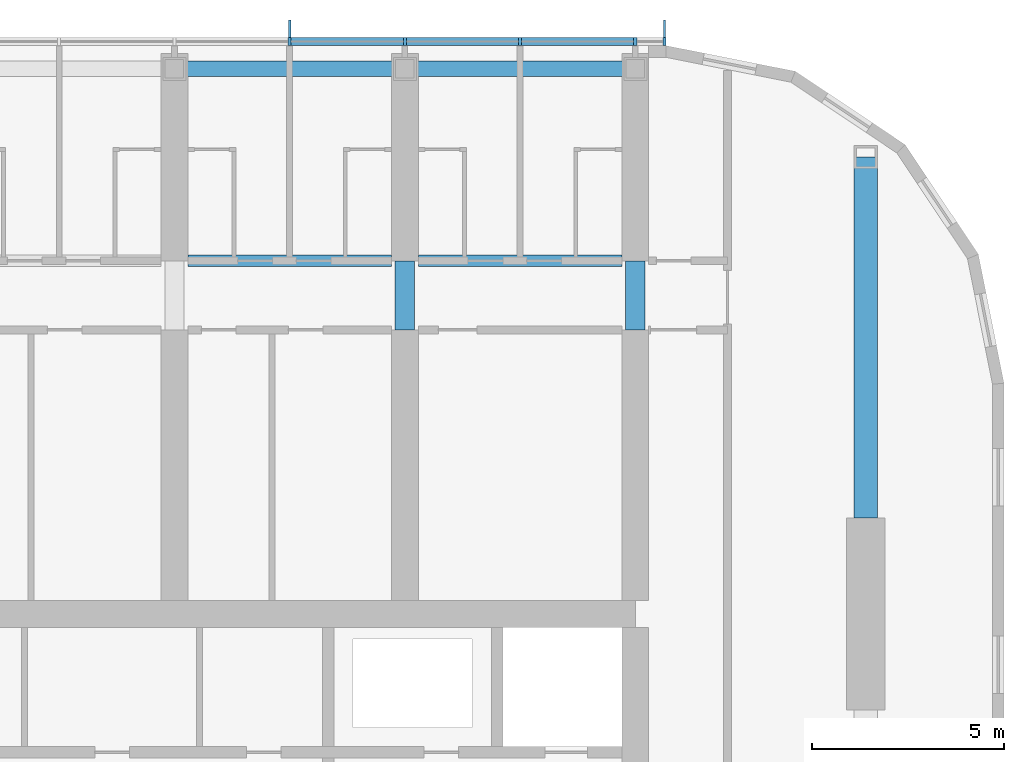
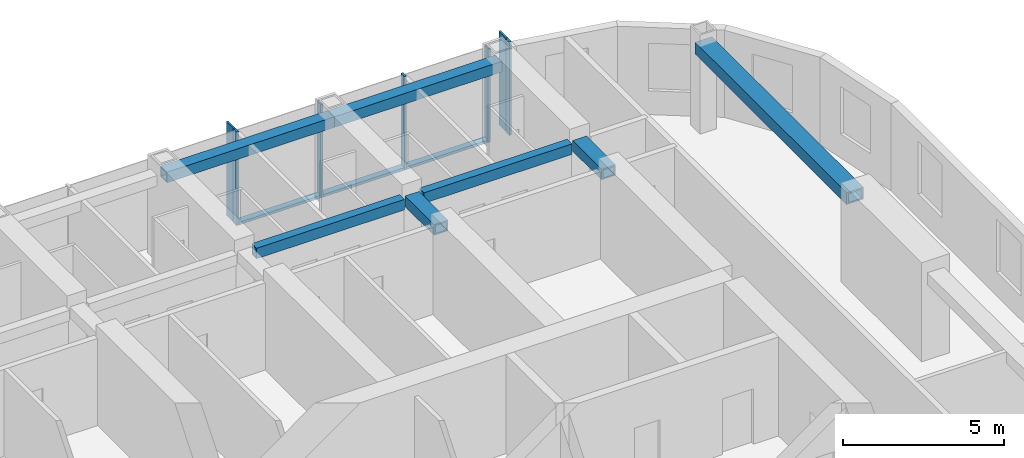
# One storey, part 5 of 24: 10 members, 7 beams, 1 element without a shape of its own.
"""IFC4 building model written with IfcOpenShell, lengths in metres."""

from ifc_helpers import new_model, si_unit, direction, frame, origin, origin_2d, place, context, subcontext, project, spatial, rectangle, hollow_rectangle, extrude, material, material_profile, profile_set, type_object, element, aggregate, save


model = new_model("IFC4")

# Units and contexts
model_context = context("Model", 3, precision=1e-05, world=origin(), true_north=direction((0.0, 1.0)))
body_context = subcontext(model_context, "Body", "Model", "MODEL_VIEW")
ifc_project = project(units=[si_unit("LENGTHUNIT", "METRE"), si_unit("AREAUNIT", "SQUARE_METRE"), si_unit("VOLUMEUNIT", "CUBIC_METRE"), si_unit("PLANEANGLEUNIT", "RADIAN"), si_unit("MASSUNIT", "GRAM", prefix="KILO")], contexts=[model_context])

# Site, building, storey
site_placement = place(None, origin())
site = spatial("IfcSite", under=ifc_project, at=site_placement, CompositionType="ELEMENT")
building_placement = place(site_placement, origin())
building = spatial("IfcBuilding", under=site, at=building_placement, Name="Orbita Commons", CompositionType="ELEMENT")
storey_placement = place(building_placement, frame((0.0, 0.0, 242.800048828125)))
storey = spatial("IfcBuildingStorey", under=building, at=storey_placement, Name="L60", CompositionType="ELEMENT", Elevation=242.800048828125)

# Curtain wall, members
ifc_material_1 = material(Name="Anodised aluminium frame, pale silver", Category="aluminium")
curtain_wall_type = type_object("IfcCurtainWallType", Name="Unitised curtain wall CW-U, full-height vision", PredefinedType="NOTDEFINED", material=ifc_material_1)
curtain_wall_placement = place(storey_placement, origin())
curtain_wall = element("IfcCurtainWall", 1, at=curtain_wall_placement, inside=storey, type_object=curtain_wall_type, Name="Curtain wall north L60", PredefinedType="NOTDEFINED")
ifc_material_2 = material(Name="Anodised aluminium, pale silver", Category="aluminium")
ifc_material_profile_1 = material_profile(ifc_material_2, rectangle(XDim=0.080078125, YDim=0.219970703125, at=origin_2d()), Name="AL 80x220")
ifc_profile_set_1 = profile_set([ifc_material_profile_1], Name="Anodised aluminium, pale silver")
member_type_1 = type_object("IfcMemberType", Name="Curtain wall mullion 80x220", PredefinedType="MULLION", material=ifc_profile_set_1)
member_1_placement = place(storey_placement, frame((66.760009765625, 53.110107421875, -0.25), z_axis=(0.0, 0.0, 1.0), x_axis=(-1.0, 0.0, 0.0)))
member_1 = element("IfcMember", 2, at=member_1_placement, type_object=member_type_1, Name="Mullion 1 CW-L60-N", PredefinedType="MULLION", context=body_context, shape_type="SweptSolid", body=[
    extrude(rectangle(XDim=0.080078125, YDim=0.219970703125, at=origin_2d()), origin(), (0.0, 0.0, 1.0), 3.550048828125),
])
member_2_placement = place(storey_placement, frame((66.0, 53.110107421875, -0.25), z_axis=(0.0, 0.0, 1.0), x_axis=(-1.0, 0.0, 0.0)))
member_2 = element("IfcMember", 3, at=member_2_placement, type_object=member_type_1, Name="Mullion 2 CW-L60-N", PredefinedType="MULLION", context=body_context, shape_type="SweptSolid", body=[
    extrude(rectangle(XDim=0.080078125, YDim=0.219970703125, at=origin_2d()), origin(), (0.0, 0.0, 1.0), 3.550048828125),
])
member_3_placement = place(storey_placement, frame((63.0, 53.110107421875, -0.25), z_axis=(0.0, 0.0, 1.0), x_axis=(-1.0, 0.0, 0.0)))
member_3 = element("IfcMember", 4, at=member_3_placement, type_object=member_type_1, Name="Mullion 3 CW-L60-N", PredefinedType="MULLION", context=body_context, shape_type="SweptSolid", body=[
    extrude(rectangle(XDim=0.080078125, YDim=0.219970703125, at=origin_2d()), origin(), (0.0, 0.0, 1.0), 3.550048828125),
])
member_4_placement = place(storey_placement, frame((60.0, 53.110107421875, -0.25), z_axis=(0.0, 0.0, 1.0), x_axis=(-1.0, 0.0, 0.0)))
member_4 = element("IfcMember", 5, at=member_4_placement, type_object=member_type_1, Name="Mullion 4 CW-L60-N", PredefinedType="MULLION", context=body_context, shape_type="SweptSolid", body=[
    extrude(rectangle(XDim=0.080078125, YDim=0.219970703125, at=origin_2d()), origin(), (0.0, 0.0, 1.0), 3.550048828125),
])
member_5_placement = place(storey_placement, frame((57.0, 53.110107421875, -0.25), z_axis=(0.0, 0.0, 1.0), x_axis=(-1.0, 0.0, 0.0)))
member_5 = element("IfcMember", 6, at=member_5_placement, type_object=member_type_1, Name="Mullion 5 CW-L60-N", PredefinedType="MULLION", context=body_context, shape_type="SweptSolid", body=[
    extrude(rectangle(XDim=0.080078125, YDim=0.219970703125, at=origin_2d()), origin(), (0.0, 0.0, 1.0), 3.550048828125),
])
ifc_material_3 = material(Name="Anodised aluminium, pale silver", Category="aluminium")
ifc_material_profile_2 = material_profile(ifc_material_3, rectangle(XDim=0.219970703125, YDim=0.10009765625, at=origin_2d()), Name="AL 220x100")
ifc_profile_set_2 = profile_set([ifc_material_profile_2], Name="Anodised aluminium, pale silver")
member_type_2 = type_object("IfcMemberType", Name="Curtain wall stack transom 220x100", PredefinedType="USERDEFINED", material=ifc_profile_set_2)
member_6_placement = place(storey_placement, frame((65.9599609375, 53.110107421875, -0.199951171875), z_axis=(-1.0, 0.0, 0.0), x_axis=(0.0, -1.0, 0.0)))
member_6 = element("IfcMember", 7, at=member_6_placement, type_object=member_type_2, Name="Transom 2.1 CW-L60-N", ObjectType="TRANSOM", PredefinedType="USERDEFINED", context=body_context, shape_type="SweptSolid", body=[
    extrude(rectangle(XDim=0.219970703125, YDim=0.10009765625, at=origin_2d()), origin(), (0.0, 0.0, 1.0), 2.919921875),
])
member_7_placement = place(storey_placement, frame((62.9599609375, 53.110107421875, -0.199951171875), z_axis=(-1.0, 0.0, 0.0), x_axis=(0.0, -1.0, 0.0)))
member_7 = element("IfcMember", 8, at=member_7_placement, type_object=member_type_2, Name="Transom 3.1 CW-L60-N", ObjectType="TRANSOM", PredefinedType="USERDEFINED", context=body_context, shape_type="SweptSolid", body=[
    extrude(rectangle(XDim=0.219970703125, YDim=0.10009765625, at=origin_2d()), origin(), (0.0, 0.0, 1.0), 2.919921875),
])
member_8_placement = place(storey_placement, frame((59.9599609375, 53.110107421875, -0.199951171875), z_axis=(-1.0, 0.0, 0.0), x_axis=(0.0, -1.0, 0.0)))
member_8 = element("IfcMember", 9, at=member_8_placement, type_object=member_type_2, Name="Transom 4.1 CW-L60-N", ObjectType="TRANSOM", PredefinedType="USERDEFINED", context=body_context, shape_type="SweptSolid", body=[
    extrude(rectangle(XDim=0.219970703125, YDim=0.10009765625, at=origin_2d()), origin(), (0.0, 0.0, 1.0), 2.919921875),
])

# Beams
ifc_material_4 = material(Name="Steel ASTM A572 Gr 50 welded plate", Category="steel")
ifc_material_profile_3 = material_profile(ifc_material_4, hollow_rectangle(XDim=0.300048828125, YDim=0.39990234375, WallThickness=0.0400390625, at=origin_2d()), Name="BOX 400x300x40")
ifc_profile_set_3 = profile_set([ifc_material_profile_3], Name="Steel ASTM A572 Gr 50 welded plate")
beam_type_1 = type_object("IfcBeamType", Name="Steel corridor link BOX 400x300x40", PredefinedType="BEAM", material=ifc_profile_set_3)
for number, where, z_axis, x_axis, name in (
    (10, (54.35009765625, 47.39990234375, 3.099853515625), (1.0, 0.0, 0.0), (0.0, 1.0, 0.0), "Corridor beam NB 10-11 L60"),
    (11, (60.35009765625, 47.39990234375, 3.099853515625), (1.0, 0.0, 0.0), (0.0, 1.0, 0.0), "Corridor beam NB 11-12 L60"),
):
    element("IfcBeam", number, at=place(storey_placement, frame(where, z_axis=z_axis, x_axis=x_axis)), inside=storey, type_object=beam_type_1, Name=name, PredefinedType="BEAM", context=body_context, shape_type="SweptSolid", body=[
        extrude(hollow_rectangle(XDim=0.300048828125, YDim=0.39990234375, WallThickness=0.0400390625, at=origin_2d()), origin(), (0.0, 0.0, 1.0), 5.2998046875),
    ])
ifc_material_5 = material(Name="Steel ASTM A572 Gr 50 welded plate", Category="steel")
ifc_material_profile_4 = material_profile(ifc_material_5, hollow_rectangle(XDim=0.5, YDim=0.39990234375, WallThickness=0.050048828125, at=origin_2d()), Name="BOX 400x500x50")
ifc_profile_set_4 = profile_set([ifc_material_profile_4], Name="Steel ASTM A572 Gr 50 welded plate")
beam_type_2 = type_object("IfcBeamType", Name="Steel coupling link BOX 400x500x50", PredefinedType="LINTEL", material=ifc_profile_set_4)
for number, where, z_axis, x_axis, name in (
    (12, (60.0, 45.60009765625, 3.099853515625), (0.0, 1.0, 0.0), (-1.0, 0.0, 0.0), "Coupling beam 11 north L60"),
    (13, (66.0, 45.60009765625, 3.099853515625), (0.0, 1.0, 0.0), (-1.0, 0.0, 0.0), "Coupling beam 12 north L60"),
):
    element("IfcBeam", number, at=place(storey_placement, frame(where, z_axis=z_axis, x_axis=x_axis)), inside=storey, type_object=beam_type_2, Name=name, PredefinedType="LINTEL", context=body_context, shape_type="SweptSolid", body=[
        extrude(hollow_rectangle(XDim=0.5, YDim=0.39990234375, WallThickness=0.050048828125, at=origin_2d()), origin(), (0.0, 0.0, 1.0), 1.7998046875),
    ])
ifc_material_6 = material(Name="Steel ASTM A572 Gr 50 welded plate", Category="steel")
ifc_material_profile_5 = material_profile(ifc_material_6, hollow_rectangle(XDim=0.60009765625, YDim=0.449951171875, WallThickness=0.06005859375, at=origin_2d()), Name="BOX 450x600x60")
ifc_profile_set_5 = profile_set([ifc_material_profile_5], Name="Steel ASTM A572 Gr 50 welded plate")
beam_type_3 = type_object("IfcBeamType", Name="Steel end frame link BOX 450x600x60", PredefinedType="BEAM", material=ifc_profile_set_5)
beam_placement = place(storey_placement, frame((72.0, 40.699951171875, 3.074951171875), z_axis=(0.0, 1.0, 0.0), x_axis=(-1.0, 0.0, 0.0)))
element("IfcBeam", 14, at=beam_placement, inside=storey, type_object=beam_type_3, Name="End frame beam 13 D-E L60", PredefinedType="BEAM", context=body_context, shape_type="SweptSolid", body=[
    extrude(hollow_rectangle(XDim=0.60009765625, YDim=0.449951171875, WallThickness=0.06005859375, at=origin_2d()), origin(), (0.0, 0.0, 1.0), 9.400146484375),
])
ifc_material_7 = material(Name="Steel ASTM A572 Gr 50 welded plate", Category="steel")
ifc_material_profile_6 = material_profile(ifc_material_7, hollow_rectangle(XDim=0.39990234375, YDim=0.39990234375, WallThickness=0.0400390625, at=origin_2d()), Name="BOX 400x400x40")
ifc_profile_set_6 = profile_set([ifc_material_profile_6], Name="Steel ASTM A572 Gr 50 welded plate")
beam_type_4 = type_object("IfcBeamType", Name="Steel spandrel BOX 400x400x40", PredefinedType="SPANDREL", material=ifc_profile_set_6)
for number, where, z_axis, x_axis, name in (
    (15, (54.0, 52.39990234375, 3.099853515625), (1.0, 0.0, 0.0), (0.0, 1.0, 0.0), "Spandrel beam E 10-11 L60"),
    (16, (60.0, 52.39990234375, 3.099853515625), (1.0, 0.0, 0.0), (0.0, 1.0, 0.0), "Spandrel beam E 11-12 L60"),
):
    element("IfcBeam", number, at=place(storey_placement, frame(where, z_axis=z_axis, x_axis=x_axis)), inside=storey, type_object=beam_type_4, Name=name, PredefinedType="SPANDREL", context=body_context, shape_type="SweptSolid", body=[
        extrude(hollow_rectangle(XDim=0.39990234375, YDim=0.39990234375, WallThickness=0.0400390625, at=origin_2d()), origin(), (0.0, 0.0, 1.0), 6.0),
    ])

# Member
ifc_material_8 = material(Name="Anodised aluminium, pale silver", Category="aluminium")
ifc_material_profile_7 = material_profile(ifc_material_8, rectangle(XDim=0.06005859375, YDim=0.449951171875, at=origin_2d()), Name="FIN 60x450")
ifc_profile_set_7 = profile_set([ifc_material_profile_7], Name="Anodised aluminium, pale silver")
member_type_3 = type_object("IfcMemberType", Name="Vertical fin 60x450 pale aluminium", PredefinedType="USERDEFINED", material=ifc_profile_set_7)
member_9_placement = place(storey_placement, frame((66.760009765625, 53.445068359375, -0.25), z_axis=(0.0, 0.0, 1.0), x_axis=(-1.0, 0.0, 0.0)))
member_9 = element("IfcMember", 17, at=member_9_placement, type_object=member_type_3, Name="Fin 1 CW-L60-N", ObjectType="FIN", PredefinedType="USERDEFINED", context=body_context, shape_type="SweptSolid", body=[
    extrude(rectangle(XDim=0.06005859375, YDim=0.449951171875, at=origin_2d()), origin(), (0.0, 0.0, 1.0), 3.550048828125),
])

member_10_placement = place(storey_placement, frame((57.0, 53.445068359375, -0.25), z_axis=(0.0, 0.0, 1.0), x_axis=(-1.0, 0.0, 0.0)))
member_10 = element("IfcMember", 18, at=member_10_placement, type_object=member_type_3, Name="Fin 5 CW-L60-N", ObjectType="FIN", PredefinedType="USERDEFINED", context=body_context, shape_type="SweptSolid", body=[
    extrude(rectangle(XDim=0.06005859375, YDim=0.449951171875, at=origin_2d()), origin(), (0.0, 0.0, 1.0), 3.550048828125),
])

aggregate(curtain_wall, [member_1, member_9, member_2, member_3, member_4, member_5, member_10, member_6, member_7, member_8])

save(model, "model.ifc")
